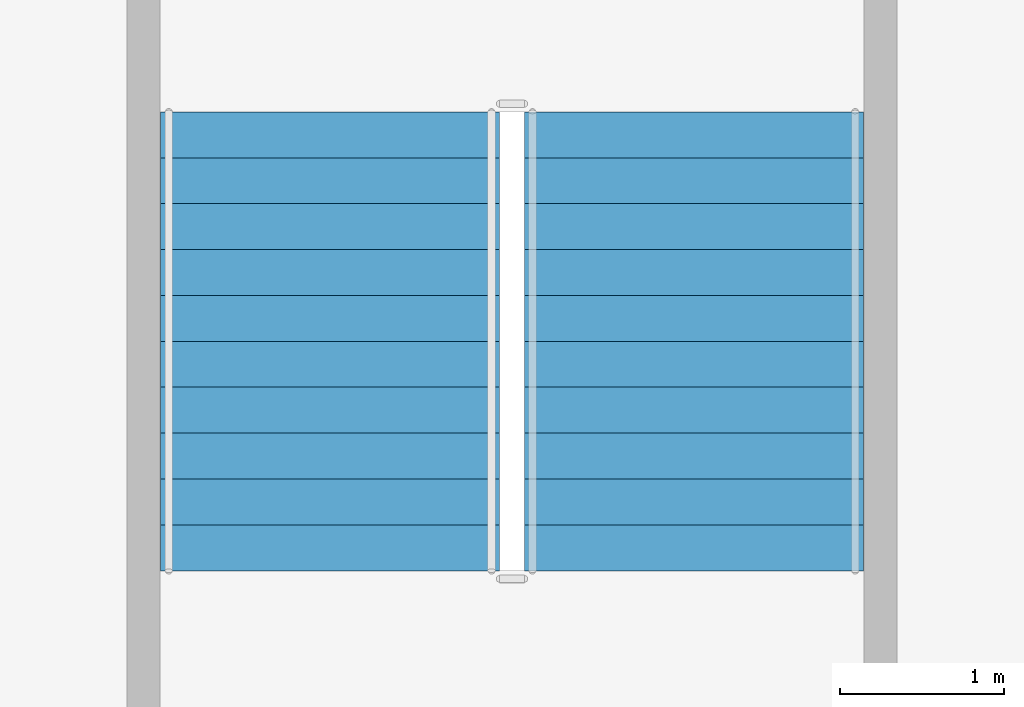
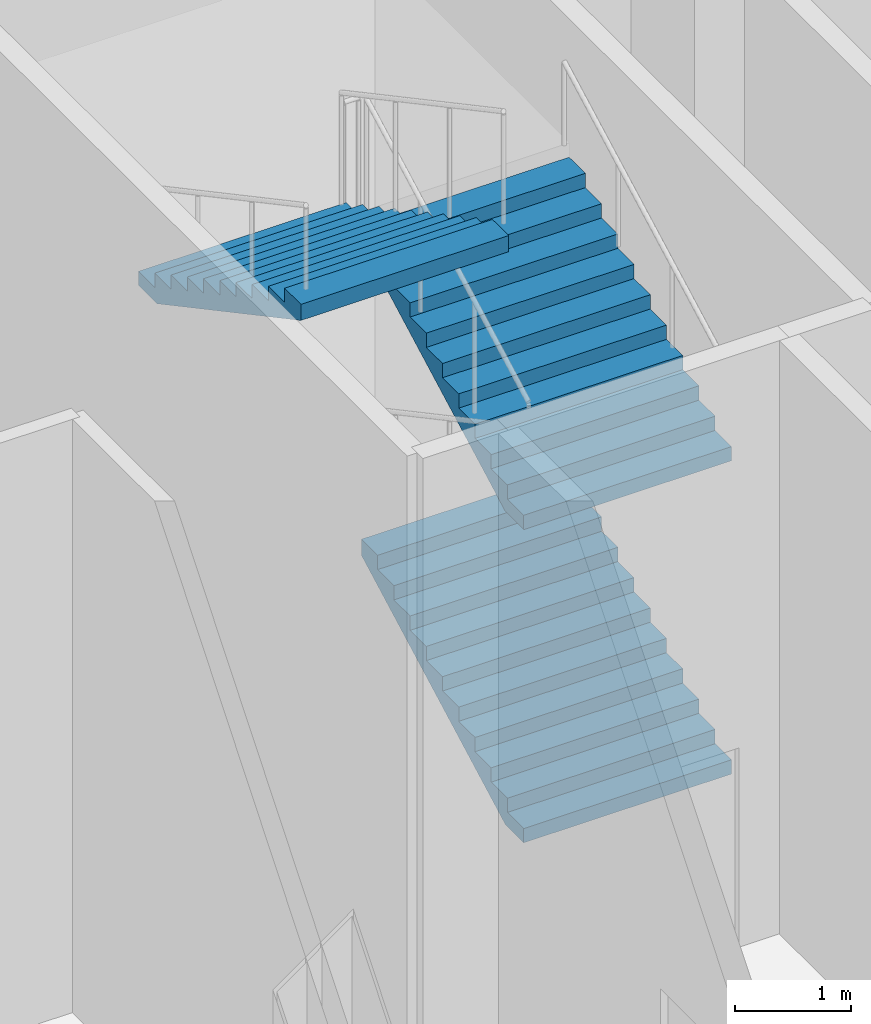
# One storey, part 12 of 26: 3 stair flights, 1 element without a shape of its own.
"""IFC4 building model written with IfcOpenShell, lengths in metres."""

from ifc_helpers import new_model, si_unit, direction, frame, origin, place, context, subcontext, project, spatial, polygons, material, type_object, element, aggregate, save


model = new_model("IFC4")

# Units and contexts
model_context = context("Model", 3, precision=1e-05, world=origin(), true_north=direction((0.0, 1.0)))
body_context = subcontext(model_context, "Body", "Model", "MODEL_VIEW")
ifc_project = project(units=[si_unit("LENGTHUNIT", "METRE"), si_unit("AREAUNIT", "SQUARE_METRE"), si_unit("VOLUMEUNIT", "CUBIC_METRE"), si_unit("PLANEANGLEUNIT", "RADIAN"), si_unit("MASSUNIT", "GRAM", prefix="KILO")], contexts=[model_context])

# Site, building, storey
site_placement = place(None, origin())
site = spatial("IfcSite", under=ifc_project, at=site_placement, CompositionType="ELEMENT")
building_placement = place(site_placement, origin())
building = spatial("IfcBuilding", under=site, at=building_placement, Name="Caravel Reach Hotel and Residences", CompositionType="ELEMENT")
storey_placement = place(building_placement, frame((0.0, 0.0, 17.39990234375)))
storey = spatial("IfcBuildingStorey", under=building, at=storey_placement, Name="L03", CompositionType="ELEMENT", Elevation=17.39990234375)

# Stair, stair flights
ifc_material_1 = material(Name="Concrete C40", Category="concrete")
stair_type = type_object("IfcStairType", Name="Core stair", PredefinedType="HALF_TURN_STAIR", material=ifc_material_1)
stair_placement = place(storey_placement, origin())
stair = element("IfcStair", 1, at=stair_placement, inside=storey, type_object=stair_type, Name="L03 Exit stair P4", PredefinedType="HALF_TURN_STAIR")
ifc_material_2 = material(Name="Concrete C40", Category="concrete")
stair_flight_type = type_object("IfcStairFlightType", Name="Core stair flight", PredefinedType="STRAIGHT", material=ifc_material_2)
stair_flight_1_placement = place(storey_placement, frame((55.110107421875, 13.68994140625, 0.0), z_axis=(0.0, 0.0, 1.0), x_axis=(0.0, 1.0, 0.0)))
stair_flight_1 = element("IfcStairFlight", 2, at=stair_flight_1_placement, type_object=stair_flight_type, Name="ST-P4 flight 1", NumberOfRisers=11, NumberOfTreads=10, PredefinedType="STRAIGHT", RiserHeight=0.15, TreadLength=0.28, context=body_context, shape_type="Tessellation", body=[
    polygons([(0.3174408016601862, 1.0350341796875, 0.0), (0.3174408016601862, 0.6900227864583333, 0.0), (0.3174408016601862, 0.34501139322916663, 0.0), (0.3174408016601862, 0.0, 0.0), (0.3174408016601862, -0.34501139322916674, 0.0), (0.3174408016601862, -0.6900227864583333, 0.0), (0.3174408016601862, -1.0350341796875, 0.0), (2.801, 1.0350341796875, 1.329942427682043), (2.801, 0.6900227864583333, 1.329942427682043), (2.801, 0.34501139322916663, 1.329942427682043), (2.801, 0.0, 1.329942427682043), (2.801, -0.34501139322916674, 1.329942427682043), (2.801, -0.6900227864583333, 1.329942427682043), (2.801, -1.0350341796875, 1.329942427682043), (2.801, 1.0350341796875, 1.5), (2.801, 0.6900227864583333, 1.5), (2.801, 0.34501139322916663, 1.5), (2.801, 0.0, 1.5), (2.801, -0.34501139322916674, 1.5), (2.801, -0.6900227864583333, 1.5), (2.801, -1.0350341796875, 1.5), (2.5200000000000005, 1.0350341796875, 1.5), (2.5200000000000005, 0.6900227864583333, 1.5), (2.5200000000000005, 0.34501139322916663, 1.5), (2.5200000000000005, 0.0, 1.5), (2.5200000000000005, -0.34501139322916674, 1.5), (2.5200000000000005, -0.6900227864583333, 1.5), (2.5200000000000005, -1.0350341796875, 1.5), (2.5200000000000005, 1.0350341796875, 1.3499999999999999), (2.5200000000000005, 0.6900227864583333, 1.3499999999999999), (2.5200000000000005, 0.34501139322916663, 1.3499999999999999), (2.5200000000000005, 0.0, 1.3499999999999999), (2.5200000000000005, -0.34501139322916674, 1.3499999999999999), (2.5200000000000005, -0.6900227864583333, 1.3499999999999999), (2.5200000000000005, -1.0350341796875, 1.3499999999999999), (2.24, 1.0350341796875, 1.3499999999999999), (2.24, 0.6900227864583333, 1.3499999999999999), (2.24, 0.34501139322916663, 1.3499999999999999), (2.24, 0.0, 1.3499999999999999), (2.24, -0.34501139322916674, 1.3499999999999999), (2.24, -0.6900227864583333, 1.3499999999999999), (2.24, -1.0350341796875, 1.3499999999999999), (2.24, 1.0350341796875, 1.2), (2.24, 0.6900227864583333, 1.2), (2.24, 0.34501139322916663, 1.2), (2.24, 0.0, 1.2), (2.24, -0.34501139322916674, 1.2), (2.24, -0.6900227864583333, 1.2), (2.24, -1.0350341796875, 1.2), (1.9600000000000002, 1.0350341796875, 1.2), (1.9600000000000002, 0.6900227864583333, 1.2), (1.9600000000000002, 0.34501139322916663, 1.2), (1.9600000000000002, 0.0, 1.2), (1.9600000000000002, -0.34501139322916674, 1.2), (1.9600000000000002, -0.6900227864583333, 1.2), (1.9600000000000002, -1.0350341796875, 1.2), (1.9600000000000002, 1.0350341796875, 1.05), (1.9600000000000002, 0.6900227864583333, 1.05), (1.9600000000000002, 0.34501139322916663, 1.05), (1.9600000000000002, 0.0, 1.05), (1.9600000000000002, -0.34501139322916674, 1.05), (1.9600000000000002, -0.6900227864583333, 1.05), (1.9600000000000002, -1.0350341796875, 1.05), (1.6800000000000002, 1.0350341796875, 1.05), (1.6800000000000002, 0.6900227864583333, 1.05), (1.6800000000000002, 0.34501139322916663, 1.05), (1.6800000000000002, 0.0, 1.05), (1.6800000000000002, -0.34501139322916674, 1.05), (1.6800000000000002, -0.6900227864583333, 1.05), (1.6800000000000002, -1.0350341796875, 1.05), (1.6800000000000002, 1.0350341796875, 0.8999999999999999), (1.6800000000000002, 0.6900227864583333, 0.8999999999999999), (1.6800000000000002, 0.34501139322916663, 0.8999999999999999), (1.6800000000000002, 0.0, 0.8999999999999999), (1.6800000000000002, -0.34501139322916674, 0.8999999999999999), (1.6800000000000002, -0.6900227864583333, 0.8999999999999999), (1.6800000000000002, -1.0350341796875, 0.8999999999999999), (1.4000000000000001, 1.0350341796875, 0.8999999999999999), (1.4000000000000001, 0.6900227864583333, 0.8999999999999999), (1.4000000000000001, 0.34501139322916663, 0.8999999999999999), (1.4000000000000001, 0.0, 0.8999999999999999), (1.4000000000000001, -0.34501139322916674, 0.8999999999999999), (1.4000000000000001, -0.6900227864583333, 0.8999999999999999), (1.4000000000000001, -1.0350341796875, 0.8999999999999999), (1.4000000000000001, 1.0350341796875, 0.75), (1.4000000000000001, 0.6900227864583333, 0.75), (1.4000000000000001, 0.34501139322916663, 0.75), (1.4000000000000001, 0.0, 0.75), (1.4000000000000001, -0.34501139322916674, 0.75), (1.4000000000000001, -0.6900227864583333, 0.75), (1.4000000000000001, -1.0350341796875, 0.75), (1.12, 1.0350341796875, 0.75), (1.12, 0.6900227864583333, 0.75), (1.12, 0.34501139322916663, 0.75), (1.12, 0.0, 0.75), (1.12, -0.34501139322916674, 0.75), (1.12, -0.6900227864583333, 0.75), (1.12, -1.0350341796875, 0.75), (1.12, 1.0350341796875, 0.6), (1.12, 0.6900227864583333, 0.6), (1.12, 0.34501139322916663, 0.6), (1.12, 0.0, 0.6), (1.12, -0.34501139322916674, 0.6), (1.12, -0.6900227864583333, 0.6), (1.12, -1.0350341796875, 0.6), (0.8400000000000001, 1.0350341796875, 0.6), (0.8400000000000001, 0.6900227864583333, 0.6), (0.8400000000000001, 0.34501139322916663, 0.6), (0.8400000000000001, 0.0, 0.6), (0.8400000000000001, -0.34501139322916674, 0.6), (0.8400000000000001, -0.6900227864583333, 0.6), (0.8400000000000001, -1.0350341796875, 0.6), (0.8400000000000001, 1.0350341796875, 0.44999999999999996), (0.8400000000000001, 0.6900227864583333, 0.44999999999999996), (0.8400000000000001, 0.34501139322916663, 0.44999999999999996), (0.8400000000000001, 0.0, 0.44999999999999996), (0.8400000000000001, -0.34501139322916674, 0.44999999999999996), (0.8400000000000001, -0.6900227864583333, 0.44999999999999996), (0.8400000000000001, -1.0350341796875, 0.44999999999999996), (0.56, 1.0350341796875, 0.44999999999999996), (0.56, 0.6900227864583333, 0.44999999999999996), (0.56, 0.34501139322916663, 0.44999999999999996), (0.56, 0.0, 0.44999999999999996), (0.56, -0.34501139322916674, 0.44999999999999996), (0.56, -0.6900227864583333, 0.44999999999999996), (0.56, -1.0350341796875, 0.44999999999999996), (0.56, 1.0350341796875, 0.3), (0.56, 0.6900227864583333, 0.3), (0.56, 0.34501139322916663, 0.3), (0.56, 0.0, 0.3), (0.56, -0.34501139322916674, 0.3), (0.56, -0.6900227864583333, 0.3), (0.56, -1.0350341796875, 0.3), (0.28, 1.0350341796875, 0.3), (0.28, 0.6900227864583333, 0.3), (0.28, 0.34501139322916663, 0.3), (0.28, 0.0, 0.3), (0.28, -0.34501139322916674, 0.3), (0.28, -0.6900227864583333, 0.3), (0.28, -1.0350341796875, 0.3), (0.28, 1.0350341796875, 0.15), (0.28, 0.6900227864583333, 0.15), (0.28, 0.34501139322916663, 0.15), (0.28, 0.0, 0.15), (0.28, -0.34501139322916674, 0.15), (0.28, -0.6900227864583333, 0.15), (0.28, -1.0350341796875, 0.15), (-0.001, 1.0350341796875, 0.15), (-0.001, 0.6900227864583333, 0.15), (-0.001, 0.34501139322916663, 0.15), (-0.001, 0.0, 0.15), (-0.001, -0.34501139322916674, 0.15), (-0.001, -0.6900227864583333, 0.15), (-0.001, -1.0350341796875, 0.15), (-0.001, 1.0350341796875, 0.0), (-0.001, 0.6900227864583333, 0.0), (-0.001, 0.34501139322916663, 0.0), (-0.001, 0.0, 0.0), (-0.001, -0.34501139322916674, 0.0), (-0.001, -0.6900227864583333, 0.0), (-0.001, -1.0350341796875, 0.0)], [[[155, 148, 141, 134, 127, 120, 113, 106, 99, 92, 85, 78, 71, 64, 57, 50, 43, 36, 29, 22, 15, 8, 1]], [[7, 14, 21, 28, 35, 42, 49, 56, 63, 70, 77, 84, 91, 98, 105, 112, 119, 126, 133, 140, 147, 154, 161]], [[1, 8, 9, 2]], [[2, 9, 10, 3]], [[3, 10, 11, 4]], [[4, 11, 12, 5]], [[5, 12, 13, 6]], [[6, 13, 14, 7]], [[8, 15, 16, 9]], [[9, 16, 17, 10]], [[10, 17, 18, 11]], [[11, 18, 19, 12]], [[12, 19, 20, 13]], [[13, 20, 21, 14]], [[15, 22, 23, 16]], [[16, 23, 24, 17]], [[17, 24, 25, 18]], [[18, 25, 26, 19]], [[19, 26, 27, 20]], [[20, 27, 28, 21]], [[22, 29, 30, 23]], [[23, 30, 31, 24]], [[24, 31, 32, 25]], [[25, 32, 33, 26]], [[26, 33, 34, 27]], [[27, 34, 35, 28]], [[29, 36, 37, 30]], [[30, 37, 38, 31]], [[31, 38, 39, 32]], [[32, 39, 40, 33]], [[33, 40, 41, 34]], [[34, 41, 42, 35]], [[36, 43, 44, 37]], [[37, 44, 45, 38]], [[38, 45, 46, 39]], [[39, 46, 47, 40]], [[40, 47, 48, 41]], [[41, 48, 49, 42]], [[43, 50, 51, 44]], [[44, 51, 52, 45]], [[45, 52, 53, 46]], [[46, 53, 54, 47]], [[47, 54, 55, 48]], [[48, 55, 56, 49]], [[50, 57, 58, 51]], [[51, 58, 59, 52]], [[52, 59, 60, 53]], [[53, 60, 61, 54]], [[54, 61, 62, 55]], [[55, 62, 63, 56]], [[57, 64, 65, 58]], [[58, 65, 66, 59]], [[59, 66, 67, 60]], [[60, 67, 68, 61]], [[61, 68, 69, 62]], [[62, 69, 70, 63]], [[64, 71, 72, 65]], [[65, 72, 73, 66]], [[66, 73, 74, 67]], [[67, 74, 75, 68]], [[68, 75, 76, 69]], [[69, 76, 77, 70]], [[71, 78, 79, 72]], [[72, 79, 80, 73]], [[73, 80, 81, 74]], [[74, 81, 82, 75]], [[75, 82, 83, 76]], [[76, 83, 84, 77]], [[78, 85, 86, 79]], [[79, 86, 87, 80]], [[80, 87, 88, 81]], [[81, 88, 89, 82]], [[82, 89, 90, 83]], [[83, 90, 91, 84]], [[85, 92, 93, 86]], [[86, 93, 94, 87]], [[87, 94, 95, 88]], [[88, 95, 96, 89]], [[89, 96, 97, 90]], [[90, 97, 98, 91]], [[92, 99, 100, 93]], [[93, 100, 101, 94]], [[94, 101, 102, 95]], [[95, 102, 103, 96]], [[96, 103, 104, 97]], [[97, 104, 105, 98]], [[99, 106, 107, 100]], [[100, 107, 108, 101]], [[101, 108, 109, 102]], [[102, 109, 110, 103]], [[103, 110, 111, 104]], [[104, 111, 112, 105]], [[106, 113, 114, 107]], [[107, 114, 115, 108]], [[108, 115, 116, 109]], [[109, 116, 117, 110]], [[110, 117, 118, 111]], [[111, 118, 119, 112]], [[113, 120, 121, 114]], [[114, 121, 122, 115]], [[115, 122, 123, 116]], [[116, 123, 124, 117]], [[117, 124, 125, 118]], [[118, 125, 126, 119]], [[120, 127, 128, 121]], [[121, 128, 129, 122]], [[122, 129, 130, 123]], [[123, 130, 131, 124]], [[124, 131, 132, 125]], [[125, 132, 133, 126]], [[127, 134, 135, 128]], [[128, 135, 136, 129]], [[129, 136, 137, 130]], [[130, 137, 138, 131]], [[131, 138, 139, 132]], [[132, 139, 140, 133]], [[134, 141, 142, 135]], [[135, 142, 143, 136]], [[136, 143, 144, 137]], [[137, 144, 145, 138]], [[138, 145, 146, 139]], [[139, 146, 147, 140]], [[141, 148, 149, 142]], [[142, 149, 150, 143]], [[143, 150, 151, 144]], [[144, 151, 152, 145]], [[145, 152, 153, 146]], [[146, 153, 154, 147]], [[148, 155, 156, 149]], [[149, 156, 157, 150]], [[150, 157, 158, 151]], [[151, 158, 159, 152]], [[152, 159, 160, 153]], [[153, 160, 161, 154]], [[155, 1, 2, 156]], [[156, 2, 3, 157]], [[157, 3, 4, 158]], [[158, 4, 5, 159]], [[159, 5, 6, 160]], [[160, 6, 7, 161]]], closed=True),
])
stair_flight_2_placement = place(storey_placement, frame((55.110107421875, 13.68994140625, 3.300048828125), z_axis=(0.0, 0.0, 1.0), x_axis=(0.0, 1.0, 0.0)))
stair_flight_2 = element("IfcStairFlight", 3, at=stair_flight_2_placement, type_object=stair_flight_type, Name="ST-P4 flight 3", NumberOfRisers=11, NumberOfTreads=10, PredefinedType="STRAIGHT", RiserHeight=0.15, TreadLength=0.28, context=body_context, shape_type="Tessellation", body=[
    polygons([(0.3174408016601862, 1.0350341796875, 0.0), (0.3174408016601862, 0.6900227864583333, 0.0), (0.3174408016601862, 0.34501139322916663, 0.0), (0.3174408016601862, 0.0, 0.0), (0.3174408016601862, -0.34501139322916674, 0.0), (0.3174408016601862, -0.6900227864583333, 0.0), (0.3174408016601862, -1.0350341796875, 0.0), (2.801, 1.0350341796875, 1.329942427682043), (2.801, 0.6900227864583333, 1.329942427682043), (2.801, 0.34501139322916663, 1.329942427682043), (2.801, 0.0, 1.329942427682043), (2.801, -0.34501139322916674, 1.329942427682043), (2.801, -0.6900227864583333, 1.329942427682043), (2.801, -1.0350341796875, 1.329942427682043), (2.801, 1.0350341796875, 1.5), (2.801, 0.6900227864583333, 1.5), (2.801, 0.34501139322916663, 1.5), (2.801, 0.0, 1.5), (2.801, -0.34501139322916674, 1.5), (2.801, -0.6900227864583333, 1.5), (2.801, -1.0350341796875, 1.5), (2.5200000000000005, 1.0350341796875, 1.5), (2.5200000000000005, 0.6900227864583333, 1.5), (2.5200000000000005, 0.34501139322916663, 1.5), (2.5200000000000005, 0.0, 1.5), (2.5200000000000005, -0.34501139322916674, 1.5), (2.5200000000000005, -0.6900227864583333, 1.5), (2.5200000000000005, -1.0350341796875, 1.5), (2.5200000000000005, 1.0350341796875, 1.3499999999999999), (2.5200000000000005, 0.6900227864583333, 1.3499999999999999), (2.5200000000000005, 0.34501139322916663, 1.3499999999999999), (2.5200000000000005, 0.0, 1.3499999999999999), (2.5200000000000005, -0.34501139322916674, 1.3499999999999999), (2.5200000000000005, -0.6900227864583333, 1.3499999999999999), (2.5200000000000005, -1.0350341796875, 1.3499999999999999), (2.24, 1.0350341796875, 1.3499999999999999), (2.24, 0.6900227864583333, 1.3499999999999999), (2.24, 0.34501139322916663, 1.3499999999999999), (2.24, 0.0, 1.3499999999999999), (2.24, -0.34501139322916674, 1.3499999999999999), (2.24, -0.6900227864583333, 1.3499999999999999), (2.24, -1.0350341796875, 1.3499999999999999), (2.24, 1.0350341796875, 1.2), (2.24, 0.6900227864583333, 1.2), (2.24, 0.34501139322916663, 1.2), (2.24, 0.0, 1.2), (2.24, -0.34501139322916674, 1.2), (2.24, -0.6900227864583333, 1.2), (2.24, -1.0350341796875, 1.2), (1.9600000000000002, 1.0350341796875, 1.2), (1.9600000000000002, 0.6900227864583333, 1.2), (1.9600000000000002, 0.34501139322916663, 1.2), (1.9600000000000002, 0.0, 1.2), (1.9600000000000002, -0.34501139322916674, 1.2), (1.9600000000000002, -0.6900227864583333, 1.2), (1.9600000000000002, -1.0350341796875, 1.2), (1.9600000000000002, 1.0350341796875, 1.05), (1.9600000000000002, 0.6900227864583333, 1.05), (1.9600000000000002, 0.34501139322916663, 1.05), (1.9600000000000002, 0.0, 1.05), (1.9600000000000002, -0.34501139322916674, 1.05), (1.9600000000000002, -0.6900227864583333, 1.05), (1.9600000000000002, -1.0350341796875, 1.05), (1.6800000000000002, 1.0350341796875, 1.05), (1.6800000000000002, 0.6900227864583333, 1.05), (1.6800000000000002, 0.34501139322916663, 1.05), (1.6800000000000002, 0.0, 1.05), (1.6800000000000002, -0.34501139322916674, 1.05), (1.6800000000000002, -0.6900227864583333, 1.05), (1.6800000000000002, -1.0350341796875, 1.05), (1.6800000000000002, 1.0350341796875, 0.8999999999999999), (1.6800000000000002, 0.6900227864583333, 0.8999999999999999), (1.6800000000000002, 0.34501139322916663, 0.8999999999999999), (1.6800000000000002, 0.0, 0.8999999999999999), (1.6800000000000002, -0.34501139322916674, 0.8999999999999999), (1.6800000000000002, -0.6900227864583333, 0.8999999999999999), (1.6800000000000002, -1.0350341796875, 0.8999999999999999), (1.4000000000000001, 1.0350341796875, 0.8999999999999999), (1.4000000000000001, 0.6900227864583333, 0.8999999999999999), (1.4000000000000001, 0.34501139322916663, 0.8999999999999999), (1.4000000000000001, 0.0, 0.8999999999999999), (1.4000000000000001, -0.34501139322916674, 0.8999999999999999), (1.4000000000000001, -0.6900227864583333, 0.8999999999999999), (1.4000000000000001, -1.0350341796875, 0.8999999999999999), (1.4000000000000001, 1.0350341796875, 0.75), (1.4000000000000001, 0.6900227864583333, 0.75), (1.4000000000000001, 0.34501139322916663, 0.75), (1.4000000000000001, 0.0, 0.75), (1.4000000000000001, -0.34501139322916674, 0.75), (1.4000000000000001, -0.6900227864583333, 0.75), (1.4000000000000001, -1.0350341796875, 0.75), (1.12, 1.0350341796875, 0.75), (1.12, 0.6900227864583333, 0.75), (1.12, 0.34501139322916663, 0.75), (1.12, 0.0, 0.75), (1.12, -0.34501139322916674, 0.75), (1.12, -0.6900227864583333, 0.75), (1.12, -1.0350341796875, 0.75), (1.12, 1.0350341796875, 0.6), (1.12, 0.6900227864583333, 0.6), (1.12, 0.34501139322916663, 0.6), (1.12, 0.0, 0.6), (1.12, -0.34501139322916674, 0.6), (1.12, -0.6900227864583333, 0.6), (1.12, -1.0350341796875, 0.6), (0.8400000000000001, 1.0350341796875, 0.6), (0.8400000000000001, 0.6900227864583333, 0.6), (0.8400000000000001, 0.34501139322916663, 0.6), (0.8400000000000001, 0.0, 0.6), (0.8400000000000001, -0.34501139322916674, 0.6), (0.8400000000000001, -0.6900227864583333, 0.6), (0.8400000000000001, -1.0350341796875, 0.6), (0.8400000000000001, 1.0350341796875, 0.44999999999999996), (0.8400000000000001, 0.6900227864583333, 0.44999999999999996), (0.8400000000000001, 0.34501139322916663, 0.44999999999999996), (0.8400000000000001, 0.0, 0.44999999999999996), (0.8400000000000001, -0.34501139322916674, 0.44999999999999996), (0.8400000000000001, -0.6900227864583333, 0.44999999999999996), (0.8400000000000001, -1.0350341796875, 0.44999999999999996), (0.56, 1.0350341796875, 0.44999999999999996), (0.56, 0.6900227864583333, 0.44999999999999996), (0.56, 0.34501139322916663, 0.44999999999999996), (0.56, 0.0, 0.44999999999999996), (0.56, -0.34501139322916674, 0.44999999999999996), (0.56, -0.6900227864583333, 0.44999999999999996), (0.56, -1.0350341796875, 0.44999999999999996), (0.56, 1.0350341796875, 0.3), (0.56, 0.6900227864583333, 0.3), (0.56, 0.34501139322916663, 0.3), (0.56, 0.0, 0.3), (0.56, -0.34501139322916674, 0.3), (0.56, -0.6900227864583333, 0.3), (0.56, -1.0350341796875, 0.3), (0.28, 1.0350341796875, 0.3), (0.28, 0.6900227864583333, 0.3), (0.28, 0.34501139322916663, 0.3), (0.28, 0.0, 0.3), (0.28, -0.34501139322916674, 0.3), (0.28, -0.6900227864583333, 0.3), (0.28, -1.0350341796875, 0.3), (0.28, 1.0350341796875, 0.15), (0.28, 0.6900227864583333, 0.15), (0.28, 0.34501139322916663, 0.15), (0.28, 0.0, 0.15), (0.28, -0.34501139322916674, 0.15), (0.28, -0.6900227864583333, 0.15), (0.28, -1.0350341796875, 0.15), (-0.001, 1.0350341796875, 0.15), (-0.001, 0.6900227864583333, 0.15), (-0.001, 0.34501139322916663, 0.15), (-0.001, 0.0, 0.15), (-0.001, -0.34501139322916674, 0.15), (-0.001, -0.6900227864583333, 0.15), (-0.001, -1.0350341796875, 0.15), (-0.001, 1.0350341796875, 0.0), (-0.001, 0.6900227864583333, 0.0), (-0.001, 0.34501139322916663, 0.0), (-0.001, 0.0, 0.0), (-0.001, -0.34501139322916674, 0.0), (-0.001, -0.6900227864583333, 0.0), (-0.001, -1.0350341796875, 0.0)], [[[155, 148, 141, 134, 127, 120, 113, 106, 99, 92, 85, 78, 71, 64, 57, 50, 43, 36, 29, 22, 15, 8, 1]], [[7, 14, 21, 28, 35, 42, 49, 56, 63, 70, 77, 84, 91, 98, 105, 112, 119, 126, 133, 140, 147, 154, 161]], [[1, 8, 9, 2]], [[2, 9, 10, 3]], [[3, 10, 11, 4]], [[4, 11, 12, 5]], [[5, 12, 13, 6]], [[6, 13, 14, 7]], [[8, 15, 16, 9]], [[9, 16, 17, 10]], [[10, 17, 18, 11]], [[11, 18, 19, 12]], [[12, 19, 20, 13]], [[13, 20, 21, 14]], [[15, 22, 23, 16]], [[16, 23, 24, 17]], [[17, 24, 25, 18]], [[18, 25, 26, 19]], [[19, 26, 27, 20]], [[20, 27, 28, 21]], [[22, 29, 30, 23]], [[23, 30, 31, 24]], [[24, 31, 32, 25]], [[25, 32, 33, 26]], [[26, 33, 34, 27]], [[27, 34, 35, 28]], [[29, 36, 37, 30]], [[30, 37, 38, 31]], [[31, 38, 39, 32]], [[32, 39, 40, 33]], [[33, 40, 41, 34]], [[34, 41, 42, 35]], [[36, 43, 44, 37]], [[37, 44, 45, 38]], [[38, 45, 46, 39]], [[39, 46, 47, 40]], [[40, 47, 48, 41]], [[41, 48, 49, 42]], [[43, 50, 51, 44]], [[44, 51, 52, 45]], [[45, 52, 53, 46]], [[46, 53, 54, 47]], [[47, 54, 55, 48]], [[48, 55, 56, 49]], [[50, 57, 58, 51]], [[51, 58, 59, 52]], [[52, 59, 60, 53]], [[53, 60, 61, 54]], [[54, 61, 62, 55]], [[55, 62, 63, 56]], [[57, 64, 65, 58]], [[58, 65, 66, 59]], [[59, 66, 67, 60]], [[60, 67, 68, 61]], [[61, 68, 69, 62]], [[62, 69, 70, 63]], [[64, 71, 72, 65]], [[65, 72, 73, 66]], [[66, 73, 74, 67]], [[67, 74, 75, 68]], [[68, 75, 76, 69]], [[69, 76, 77, 70]], [[71, 78, 79, 72]], [[72, 79, 80, 73]], [[73, 80, 81, 74]], [[74, 81, 82, 75]], [[75, 82, 83, 76]], [[76, 83, 84, 77]], [[78, 85, 86, 79]], [[79, 86, 87, 80]], [[80, 87, 88, 81]], [[81, 88, 89, 82]], [[82, 89, 90, 83]], [[83, 90, 91, 84]], [[85, 92, 93, 86]], [[86, 93, 94, 87]], [[87, 94, 95, 88]], [[88, 95, 96, 89]], [[89, 96, 97, 90]], [[90, 97, 98, 91]], [[92, 99, 100, 93]], [[93, 100, 101, 94]], [[94, 101, 102, 95]], [[95, 102, 103, 96]], [[96, 103, 104, 97]], [[97, 104, 105, 98]], [[99, 106, 107, 100]], [[100, 107, 108, 101]], [[101, 108, 109, 102]], [[102, 109, 110, 103]], [[103, 110, 111, 104]], [[104, 111, 112, 105]], [[106, 113, 114, 107]], [[107, 114, 115, 108]], [[108, 115, 116, 109]], [[109, 116, 117, 110]], [[110, 117, 118, 111]], [[111, 118, 119, 112]], [[113, 120, 121, 114]], [[114, 121, 122, 115]], [[115, 122, 123, 116]], [[116, 123, 124, 117]], [[117, 124, 125, 118]], [[118, 125, 126, 119]], [[120, 127, 128, 121]], [[121, 128, 129, 122]], [[122, 129, 130, 123]], [[123, 130, 131, 124]], [[124, 131, 132, 125]], [[125, 132, 133, 126]], [[127, 134, 135, 128]], [[128, 135, 136, 129]], [[129, 136, 137, 130]], [[130, 137, 138, 131]], [[131, 138, 139, 132]], [[132, 139, 140, 133]], [[134, 141, 142, 135]], [[135, 142, 143, 136]], [[136, 143, 144, 137]], [[137, 144, 145, 138]], [[138, 145, 146, 139]], [[139, 146, 147, 140]], [[141, 148, 149, 142]], [[142, 149, 150, 143]], [[143, 150, 151, 144]], [[144, 151, 152, 145]], [[145, 152, 153, 146]], [[146, 153, 154, 147]], [[148, 155, 156, 149]], [[149, 156, 157, 150]], [[150, 157, 158, 151]], [[151, 158, 159, 152]], [[152, 159, 160, 153]], [[153, 160, 161, 154]], [[155, 1, 2, 156]], [[156, 2, 3, 157]], [[157, 3, 4, 158]], [[158, 4, 5, 159]], [[159, 5, 6, 160]], [[160, 6, 7, 161]]], closed=True),
])
stair_flight_3_placement = place(storey_placement, frame((52.889892578125, 16.489990234375, 4.9501953125), z_axis=(0.0, 0.0, 1.0), x_axis=(0.0, -1.0, 0.0)))
stair_flight_3 = element("IfcStairFlight", 4, at=stair_flight_3_placement, type_object=stair_flight_type, Name="ST-P4 flight 4", NumberOfRisers=11, NumberOfTreads=10, PredefinedType="STRAIGHT", RiserHeight=0.15, TreadLength=0.28, context=body_context, shape_type="Tessellation", body=[
    polygons([(0.3174408016601862, 1.0350341796875, 0.0), (0.3174408016601862, 0.6900227864583333, 0.0), (0.3174408016601862, 0.34501139322916663, 0.0), (0.3174408016601862, 0.0, 0.0), (0.3174408016601862, -0.34501139322916674, 0.0), (0.3174408016601862, -0.6900227864583333, 0.0), (0.3174408016601862, -1.0350341796875, 0.0), (2.801, 1.0350341796875, 1.329942427682043), (2.801, 0.6900227864583333, 1.329942427682043), (2.801, 0.34501139322916663, 1.329942427682043), (2.801, 0.0, 1.329942427682043), (2.801, -0.34501139322916674, 1.329942427682043), (2.801, -0.6900227864583333, 1.329942427682043), (2.801, -1.0350341796875, 1.329942427682043), (2.801, 1.0350341796875, 1.5), (2.801, 0.6900227864583333, 1.5), (2.801, 0.34501139322916663, 1.5), (2.801, 0.0, 1.5), (2.801, -0.34501139322916674, 1.5), (2.801, -0.6900227864583333, 1.5), (2.801, -1.0350341796875, 1.5), (2.5200000000000005, 1.0350341796875, 1.5), (2.5200000000000005, 0.6900227864583333, 1.5), (2.5200000000000005, 0.34501139322916663, 1.5), (2.5200000000000005, 0.0, 1.5), (2.5200000000000005, -0.34501139322916674, 1.5), (2.5200000000000005, -0.6900227864583333, 1.5), (2.5200000000000005, -1.0350341796875, 1.5), (2.5200000000000005, 1.0350341796875, 1.3499999999999999), (2.5200000000000005, 0.6900227864583333, 1.3499999999999999), (2.5200000000000005, 0.34501139322916663, 1.3499999999999999), (2.5200000000000005, 0.0, 1.3499999999999999), (2.5200000000000005, -0.34501139322916674, 1.3499999999999999), (2.5200000000000005, -0.6900227864583333, 1.3499999999999999), (2.5200000000000005, -1.0350341796875, 1.3499999999999999), (2.24, 1.0350341796875, 1.3499999999999999), (2.24, 0.6900227864583333, 1.3499999999999999), (2.24, 0.34501139322916663, 1.3499999999999999), (2.24, 0.0, 1.3499999999999999), (2.24, -0.34501139322916674, 1.3499999999999999), (2.24, -0.6900227864583333, 1.3499999999999999), (2.24, -1.0350341796875, 1.3499999999999999), (2.24, 1.0350341796875, 1.2), (2.24, 0.6900227864583333, 1.2), (2.24, 0.34501139322916663, 1.2), (2.24, 0.0, 1.2), (2.24, -0.34501139322916674, 1.2), (2.24, -0.6900227864583333, 1.2), (2.24, -1.0350341796875, 1.2), (1.9600000000000002, 1.0350341796875, 1.2), (1.9600000000000002, 0.6900227864583333, 1.2), (1.9600000000000002, 0.34501139322916663, 1.2), (1.9600000000000002, 0.0, 1.2), (1.9600000000000002, -0.34501139322916674, 1.2), (1.9600000000000002, -0.6900227864583333, 1.2), (1.9600000000000002, -1.0350341796875, 1.2), (1.9600000000000002, 1.0350341796875, 1.05), (1.9600000000000002, 0.6900227864583333, 1.05), (1.9600000000000002, 0.34501139322916663, 1.05), (1.9600000000000002, 0.0, 1.05), (1.9600000000000002, -0.34501139322916674, 1.05), (1.9600000000000002, -0.6900227864583333, 1.05), (1.9600000000000002, -1.0350341796875, 1.05), (1.6800000000000002, 1.0350341796875, 1.05), (1.6800000000000002, 0.6900227864583333, 1.05), (1.6800000000000002, 0.34501139322916663, 1.05), (1.6800000000000002, 0.0, 1.05), (1.6800000000000002, -0.34501139322916674, 1.05), (1.6800000000000002, -0.6900227864583333, 1.05), (1.6800000000000002, -1.0350341796875, 1.05), (1.6800000000000002, 1.0350341796875, 0.8999999999999999), (1.6800000000000002, 0.6900227864583333, 0.8999999999999999), (1.6800000000000002, 0.34501139322916663, 0.8999999999999999), (1.6800000000000002, 0.0, 0.8999999999999999), (1.6800000000000002, -0.34501139322916674, 0.8999999999999999), (1.6800000000000002, -0.6900227864583333, 0.8999999999999999), (1.6800000000000002, -1.0350341796875, 0.8999999999999999), (1.4000000000000001, 1.0350341796875, 0.8999999999999999), (1.4000000000000001, 0.6900227864583333, 0.8999999999999999), (1.4000000000000001, 0.34501139322916663, 0.8999999999999999), (1.4000000000000001, 0.0, 0.8999999999999999), (1.4000000000000001, -0.34501139322916674, 0.8999999999999999), (1.4000000000000001, -0.6900227864583333, 0.8999999999999999), (1.4000000000000001, -1.0350341796875, 0.8999999999999999), (1.4000000000000001, 1.0350341796875, 0.75), (1.4000000000000001, 0.6900227864583333, 0.75), (1.4000000000000001, 0.34501139322916663, 0.75), (1.4000000000000001, 0.0, 0.75), (1.4000000000000001, -0.34501139322916674, 0.75), (1.4000000000000001, -0.6900227864583333, 0.75), (1.4000000000000001, -1.0350341796875, 0.75), (1.12, 1.0350341796875, 0.75), (1.12, 0.6900227864583333, 0.75), (1.12, 0.34501139322916663, 0.75), (1.12, 0.0, 0.75), (1.12, -0.34501139322916674, 0.75), (1.12, -0.6900227864583333, 0.75), (1.12, -1.0350341796875, 0.75), (1.12, 1.0350341796875, 0.6), (1.12, 0.6900227864583333, 0.6), (1.12, 0.34501139322916663, 0.6), (1.12, 0.0, 0.6), (1.12, -0.34501139322916674, 0.6), (1.12, -0.6900227864583333, 0.6), (1.12, -1.0350341796875, 0.6), (0.8400000000000001, 1.0350341796875, 0.6), (0.8400000000000001, 0.6900227864583333, 0.6), (0.8400000000000001, 0.34501139322916663, 0.6), (0.8400000000000001, 0.0, 0.6), (0.8400000000000001, -0.34501139322916674, 0.6), (0.8400000000000001, -0.6900227864583333, 0.6), (0.8400000000000001, -1.0350341796875, 0.6), (0.8400000000000001, 1.0350341796875, 0.44999999999999996), (0.8400000000000001, 0.6900227864583333, 0.44999999999999996), (0.8400000000000001, 0.34501139322916663, 0.44999999999999996), (0.8400000000000001, 0.0, 0.44999999999999996), (0.8400000000000001, -0.34501139322916674, 0.44999999999999996), (0.8400000000000001, -0.6900227864583333, 0.44999999999999996), (0.8400000000000001, -1.0350341796875, 0.44999999999999996), (0.56, 1.0350341796875, 0.44999999999999996), (0.56, 0.6900227864583333, 0.44999999999999996), (0.56, 0.34501139322916663, 0.44999999999999996), (0.56, 0.0, 0.44999999999999996), (0.56, -0.34501139322916674, 0.44999999999999996), (0.56, -0.6900227864583333, 0.44999999999999996), (0.56, -1.0350341796875, 0.44999999999999996), (0.56, 1.0350341796875, 0.3), (0.56, 0.6900227864583333, 0.3), (0.56, 0.34501139322916663, 0.3), (0.56, 0.0, 0.3), (0.56, -0.34501139322916674, 0.3), (0.56, -0.6900227864583333, 0.3), (0.56, -1.0350341796875, 0.3), (0.28, 1.0350341796875, 0.3), (0.28, 0.6900227864583333, 0.3), (0.28, 0.34501139322916663, 0.3), (0.28, 0.0, 0.3), (0.28, -0.34501139322916674, 0.3), (0.28, -0.6900227864583333, 0.3), (0.28, -1.0350341796875, 0.3), (0.28, 1.0350341796875, 0.15), (0.28, 0.6900227864583333, 0.15), (0.28, 0.34501139322916663, 0.15), (0.28, 0.0, 0.15), (0.28, -0.34501139322916674, 0.15), (0.28, -0.6900227864583333, 0.15), (0.28, -1.0350341796875, 0.15), (-0.001, 1.0350341796875, 0.15), (-0.001, 0.6900227864583333, 0.15), (-0.001, 0.34501139322916663, 0.15), (-0.001, 0.0, 0.15), (-0.001, -0.34501139322916674, 0.15), (-0.001, -0.6900227864583333, 0.15), (-0.001, -1.0350341796875, 0.15), (-0.001, 1.0350341796875, 0.0), (-0.001, 0.6900227864583333, 0.0), (-0.001, 0.34501139322916663, 0.0), (-0.001, 0.0, 0.0), (-0.001, -0.34501139322916674, 0.0), (-0.001, -0.6900227864583333, 0.0), (-0.001, -1.0350341796875, 0.0)], [[[155, 148, 141, 134, 127, 120, 113, 106, 99, 92, 85, 78, 71, 64, 57, 50, 43, 36, 29, 22, 15, 8, 1]], [[7, 14, 21, 28, 35, 42, 49, 56, 63, 70, 77, 84, 91, 98, 105, 112, 119, 126, 133, 140, 147, 154, 161]], [[1, 8, 9, 2]], [[2, 9, 10, 3]], [[3, 10, 11, 4]], [[4, 11, 12, 5]], [[5, 12, 13, 6]], [[6, 13, 14, 7]], [[8, 15, 16, 9]], [[9, 16, 17, 10]], [[10, 17, 18, 11]], [[11, 18, 19, 12]], [[12, 19, 20, 13]], [[13, 20, 21, 14]], [[15, 22, 23, 16]], [[16, 23, 24, 17]], [[17, 24, 25, 18]], [[18, 25, 26, 19]], [[19, 26, 27, 20]], [[20, 27, 28, 21]], [[22, 29, 30, 23]], [[23, 30, 31, 24]], [[24, 31, 32, 25]], [[25, 32, 33, 26]], [[26, 33, 34, 27]], [[27, 34, 35, 28]], [[29, 36, 37, 30]], [[30, 37, 38, 31]], [[31, 38, 39, 32]], [[32, 39, 40, 33]], [[33, 40, 41, 34]], [[34, 41, 42, 35]], [[36, 43, 44, 37]], [[37, 44, 45, 38]], [[38, 45, 46, 39]], [[39, 46, 47, 40]], [[40, 47, 48, 41]], [[41, 48, 49, 42]], [[43, 50, 51, 44]], [[44, 51, 52, 45]], [[45, 52, 53, 46]], [[46, 53, 54, 47]], [[47, 54, 55, 48]], [[48, 55, 56, 49]], [[50, 57, 58, 51]], [[51, 58, 59, 52]], [[52, 59, 60, 53]], [[53, 60, 61, 54]], [[54, 61, 62, 55]], [[55, 62, 63, 56]], [[57, 64, 65, 58]], [[58, 65, 66, 59]], [[59, 66, 67, 60]], [[60, 67, 68, 61]], [[61, 68, 69, 62]], [[62, 69, 70, 63]], [[64, 71, 72, 65]], [[65, 72, 73, 66]], [[66, 73, 74, 67]], [[67, 74, 75, 68]], [[68, 75, 76, 69]], [[69, 76, 77, 70]], [[71, 78, 79, 72]], [[72, 79, 80, 73]], [[73, 80, 81, 74]], [[74, 81, 82, 75]], [[75, 82, 83, 76]], [[76, 83, 84, 77]], [[78, 85, 86, 79]], [[79, 86, 87, 80]], [[80, 87, 88, 81]], [[81, 88, 89, 82]], [[82, 89, 90, 83]], [[83, 90, 91, 84]], [[85, 92, 93, 86]], [[86, 93, 94, 87]], [[87, 94, 95, 88]], [[88, 95, 96, 89]], [[89, 96, 97, 90]], [[90, 97, 98, 91]], [[92, 99, 100, 93]], [[93, 100, 101, 94]], [[94, 101, 102, 95]], [[95, 102, 103, 96]], [[96, 103, 104, 97]], [[97, 104, 105, 98]], [[99, 106, 107, 100]], [[100, 107, 108, 101]], [[101, 108, 109, 102]], [[102, 109, 110, 103]], [[103, 110, 111, 104]], [[104, 111, 112, 105]], [[106, 113, 114, 107]], [[107, 114, 115, 108]], [[108, 115, 116, 109]], [[109, 116, 117, 110]], [[110, 117, 118, 111]], [[111, 118, 119, 112]], [[113, 120, 121, 114]], [[114, 121, 122, 115]], [[115, 122, 123, 116]], [[116, 123, 124, 117]], [[117, 124, 125, 118]], [[118, 125, 126, 119]], [[120, 127, 128, 121]], [[121, 128, 129, 122]], [[122, 129, 130, 123]], [[123, 130, 131, 124]], [[124, 131, 132, 125]], [[125, 132, 133, 126]], [[127, 134, 135, 128]], [[128, 135, 136, 129]], [[129, 136, 137, 130]], [[130, 137, 138, 131]], [[131, 138, 139, 132]], [[132, 139, 140, 133]], [[134, 141, 142, 135]], [[135, 142, 143, 136]], [[136, 143, 144, 137]], [[137, 144, 145, 138]], [[138, 145, 146, 139]], [[139, 146, 147, 140]], [[141, 148, 149, 142]], [[142, 149, 150, 143]], [[143, 150, 151, 144]], [[144, 151, 152, 145]], [[145, 152, 153, 146]], [[146, 153, 154, 147]], [[148, 155, 156, 149]], [[149, 156, 157, 150]], [[150, 157, 158, 151]], [[151, 158, 159, 152]], [[152, 159, 160, 153]], [[153, 160, 161, 154]], [[155, 1, 2, 156]], [[156, 2, 3, 157]], [[157, 3, 4, 158]], [[158, 4, 5, 159]], [[159, 5, 6, 160]], [[160, 6, 7, 161]]], closed=True),
])
aggregate(stair, [stair_flight_1, stair_flight_2, stair_flight_3])

save(model, "model.ifc")
